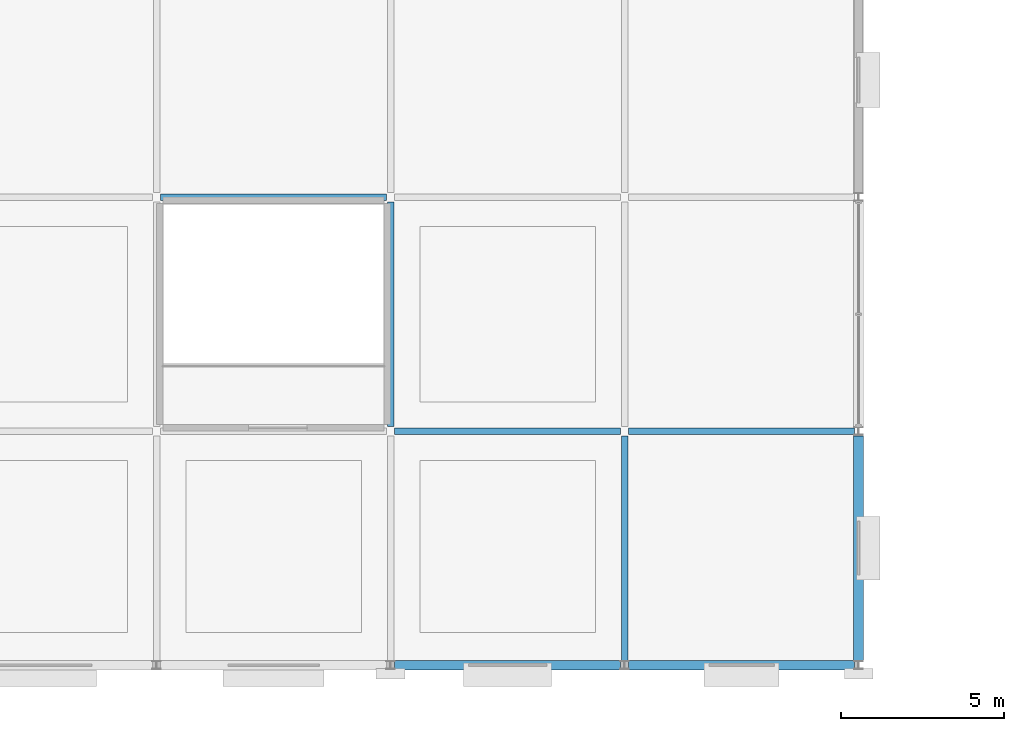
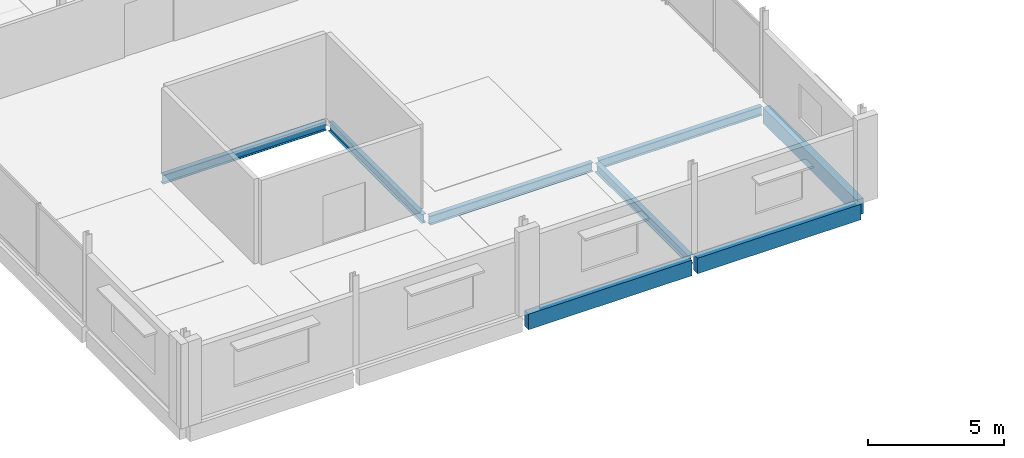
# One storey, part 16 of 107: 8 beams.
"""IFC4 building model written with IfcOpenShell, lengths in metres."""

from ifc_helpers import new_model, si_unit, direction, frame, origin, origin_2d, place, context, subcontext, project, spatial, rectangle, i_section, extrude, material, material_profile, profile_set, type_object, element, save


model = new_model("IFC4")

# Units and contexts
model_context = context("Model", 3, precision=1e-05, world=origin(), true_north=direction((0.0, 1.0)))
body_context = subcontext(model_context, "Body", "Model", "MODEL_VIEW")
ifc_project = project(units=[si_unit("LENGTHUNIT", "METRE"), si_unit("AREAUNIT", "SQUARE_METRE"), si_unit("VOLUMEUNIT", "CUBIC_METRE"), si_unit("PLANEANGLEUNIT", "RADIAN"), si_unit("MASSUNIT", "GRAM", prefix="KILO")], contexts=[model_context])

# Site, building, storey
site_placement = place(None, origin())
site = spatial("IfcSite", under=ifc_project, at=site_placement, CompositionType="ELEMENT")
building_placement = place(site_placement, origin())
building = spatial("IfcBuilding", under=site, at=building_placement, Name="Kangsadwip Square Police Headquarters", CompositionType="ELEMENT")
storey_placement = place(building_placement, frame((0.0, 0.0, 5.39990234375)))
storey = spatial("IfcBuildingStorey", under=building, at=storey_placement, Name="L01", CompositionType="ELEMENT", Elevation=5.39990234375)

# Beams
ifc_material_1 = material(Name="Concrete M40 (40 MPa)", Category="concrete")
ifc_material_profile_1 = material_profile(ifc_material_1, rectangle(XDim=0.300048828125, YDim=0.699951171875, at=origin_2d()), Name="RC SPN 700X300")
ifc_profile_set_1 = profile_set([ifc_material_profile_1], Name="Concrete M40 (40 MPa)")
beam_type_1 = type_object("IfcBeamType", Name="RcSpandrel700x300", PredefinedType="SPANDREL", material=ifc_profile_set_1)
beam_1_placement = place(storey_placement, frame((14.52490234375, 0.0, -0.58984375), z_axis=(1.0, 0.0, 0.0), x_axis=(0.0, 1.0, 0.0)))
element("IfcBeam", 1, at=beam_1_placement, inside=storey, type_object=beam_type_1, Name="Beam BM-L01-X-02-00", PredefinedType="SPANDREL", context=body_context, shape_type="SweptSolid", body=[
    extrude(rectangle(XDim=0.300048828125, YDim=0.699951171875, at=origin_2d()), origin(), (0.0, 0.0, 1.0), 6.9501953125),
])
beam_2_placement = place(storey_placement, frame((21.72509765625, 0.0, -0.58984375), z_axis=(1.0, 0.0, 0.0), x_axis=(0.0, 1.0, 0.0)))
element("IfcBeam", 2, at=beam_2_placement, inside=storey, type_object=beam_type_1, Name="Beam BM-L01-X-03-00", PredefinedType="SPANDREL", context=body_context, shape_type="SweptSolid", body=[
    extrude(rectangle(XDim=0.300048828125, YDim=0.699951171875, at=origin_2d()), origin(), (0.0, 0.0, 1.0), 6.949951171875),
])
beam_3_placement = place(storey_placement, frame((28.800048828125, 0.14990234375, -0.58984375), z_axis=(0.0, 1.0, 0.0), x_axis=(-1.0, 0.0, 0.0)))
element("IfcBeam", 3, at=beam_3_placement, inside=storey, type_object=beam_type_1, Name="Beam BM-L01-Y-04-00", PredefinedType="SPANDREL", context=body_context, shape_type="SweptSolid", body=[
    extrude(rectangle(XDim=0.300048828125, YDim=0.699951171875, at=origin_2d()), origin(), (0.0, 0.0, 1.0), 6.900146484375),
])
ifc_material_2 = material(Name="Structural steel IS 2062 E350 (Grade 350, 350 MPa)", Category="steel")
ifc_material_profile_2 = material_profile(ifc_material_2, i_section(OverallWidth=0.199951171875, OverallDepth=0.39990234375, WebThickness=0.008544921875, FlangeThickness=0.012939453125, at=origin_2d()), Name="ISWB 400")
ifc_profile_set_2 = profile_set([ifc_material_profile_2], Name="Structural steel IS 2062 E350 (Grade 350, 350 MPa)")
beam_type_2 = type_object("IfcBeamType", Name="SteelBeamIswb400", PredefinedType="BEAM", material=ifc_profile_set_2)
beam_4_placement = place(storey_placement, frame((14.52490234375, 7.199951171875, -0.43994140625), z_axis=(1.0, 0.0, 0.0), x_axis=(0.0, 1.0, 0.0)))
element("IfcBeam", 4, at=beam_4_placement, inside=storey, type_object=beam_type_2, Name="Beam BM-L01-X-02-01", PredefinedType="BEAM", context=body_context, shape_type="SweptSolid", body=[
    extrude(i_section(OverallWidth=0.199951171875, OverallDepth=0.39990234375, WebThickness=0.008544921875, FlangeThickness=0.012939453125, at=origin_2d()), origin(), (0.0, 0.0, 1.0), 6.9501953125),
])
for number, where, z_axis, x_axis, name in (
    (5, (21.72509765625, 7.199951171875, -0.43994140625), (1.0, 0.0, 0.0), (0.0, 1.0, 0.0), "Beam BM-L01-X-03-01"),
    (6, (7.324951171875, 14.39990234375, -0.43994140625), (1.0, 0.0, 0.0), (0.0, 1.0, 0.0), "Beam BM-L01-X-01-02"),
):
    element("IfcBeam", number, at=place(storey_placement, frame(where, z_axis=z_axis, x_axis=x_axis)), inside=storey, type_object=beam_type_2, Name=name, PredefinedType="BEAM", context=body_context, shape_type="SweptSolid", body=[
        extrude(i_section(OverallWidth=0.199951171875, OverallDepth=0.39990234375, WebThickness=0.008544921875, FlangeThickness=0.012939453125, at=origin_2d()), origin(), (0.0, 0.0, 1.0), 6.949951171875),
    ])
beam_5_placement = place(storey_placement, frame((14.39990234375, 7.35009765625, -0.43994140625), z_axis=(0.0, 1.0, 0.0), x_axis=(-1.0, 0.0, 0.0)))
element("IfcBeam", 7, at=beam_5_placement, inside=storey, type_object=beam_type_2, Name="Beam BM-L01-Y-02-01", PredefinedType="BEAM", context=body_context, shape_type="SweptSolid", body=[
    extrude(i_section(OverallWidth=0.199951171875, OverallDepth=0.39990234375, WebThickness=0.008544921875, FlangeThickness=0.012939453125, at=origin_2d()), origin(), (0.0, 0.0, 1.0), 6.89990234375),
])
beam_6_placement = place(storey_placement, frame((21.60009765625, 0.14990234375, -0.43994140625), z_axis=(0.0, 1.0, 0.0), x_axis=(-1.0, 0.0, 0.0)))
element("IfcBeam", 8, at=beam_6_placement, inside=storey, type_object=beam_type_2, Name="Beam BM-L01-Y-03-00", PredefinedType="BEAM", context=body_context, shape_type="SweptSolid", body=[
    extrude(i_section(OverallWidth=0.199951171875, OverallDepth=0.39990234375, WebThickness=0.008544921875, FlangeThickness=0.012939453125, at=origin_2d()), origin(), (0.0, 0.0, 1.0), 6.900146484375),
])

save(model, "model.ifc")
